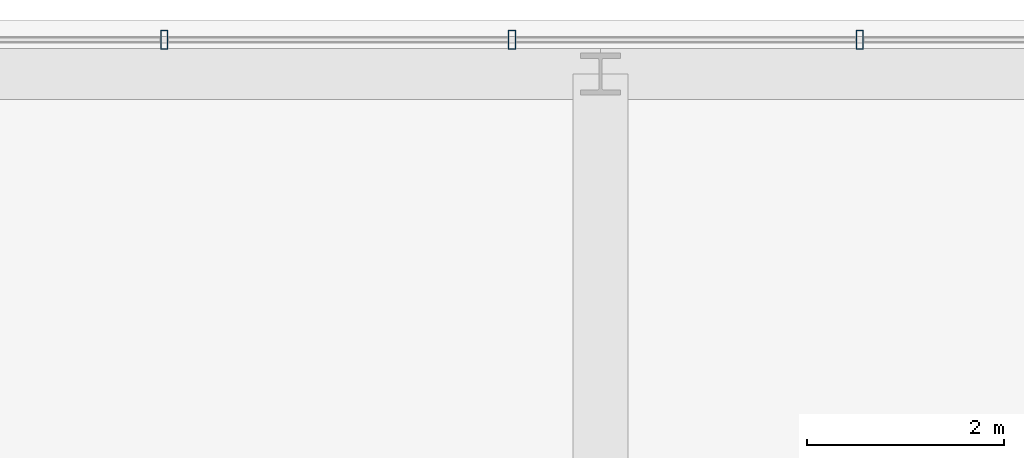
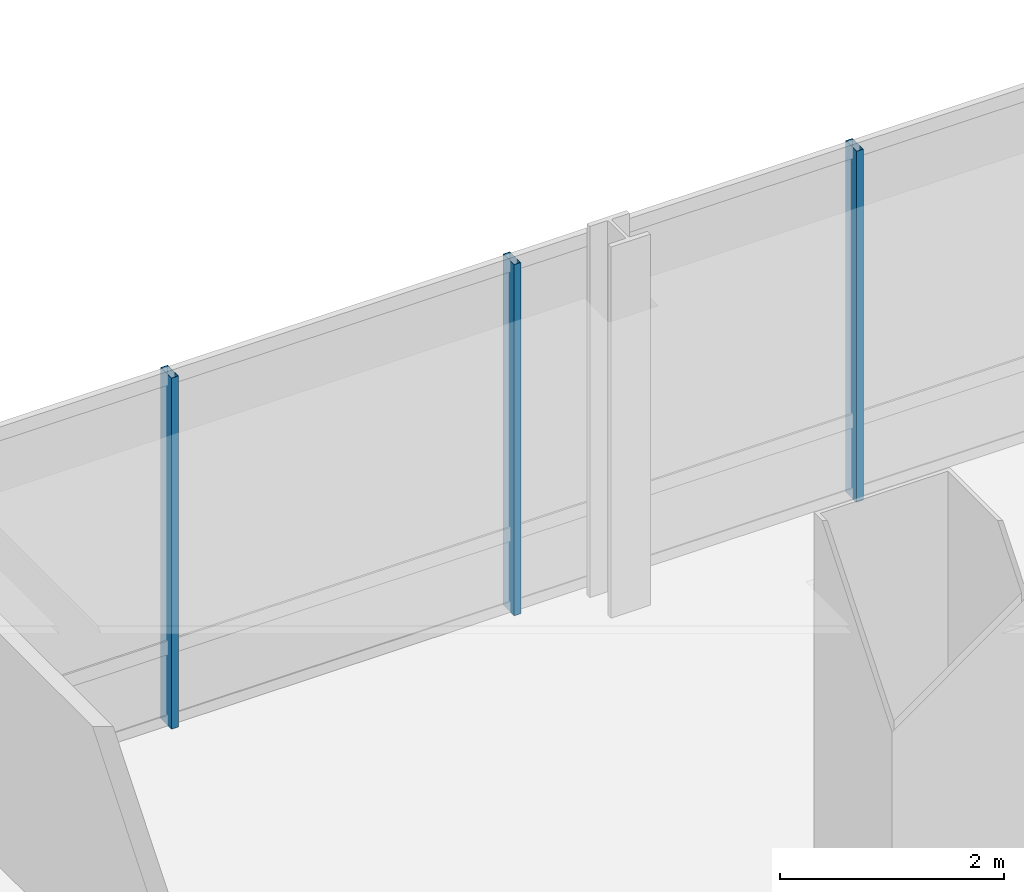
# One storey, part 25 of 38: 3 members, 1 element without a shape of its own.
"""IFC4 building model written with IfcOpenShell, lengths in metres."""

import ifcopenshell
import ifcopenshell.guid

model = None  # the IFC model being written
_history = None  # IfcOwnerHistory: only IFC2X3 demands one
_inside = {}  # id of a spatial element -> (the spatial element, [elements in it])
_under = {}  # id of a project, library or spatial element -> (it, [spatial elements below it])
_declared = {}  # id of a project -> (the project, [libraries it declares])
_typed = {}  # id of a type object -> (the type object, [elements of that type])
_made_of = {}  # id of a material, layer set ... -> (it, [elements and type objects made of it])


def new_model(schema):
    """Start an empty IFC model of exactly this schema.

    Asked for "IFC4X3", IfcOpenShell would pick the latest addendum, in which some entities
    have other attributes; the version numbers below select the first issue.
    IFC2X3 requires an IfcOwnerHistory on every rooted entity: one is made here for all.
    """
    global model, _history
    if schema == "IFC4X3":
        model = ifcopenshell.file(schema_version=(4, 3, 0, 0))
    else:
        model = ifcopenshell.file(schema=schema)
    _inside.clear()
    _under.clear()
    _declared.clear()
    _typed.clear()
    _made_of.clear()
    _history = None
    if model.schema == "IFC2X3":
        org = make("IfcOrganization", Name="unknown")
        user = make(
            "IfcPersonAndOrganization",
            ThePerson=make("IfcPerson", FamilyName="unknown"),
            TheOrganization=org,
        )
        app = make(
            "IfcApplication",
            ApplicationDeveloper=org,
            Version="unknown",
            ApplicationFullName="unknown",
            ApplicationIdentifier="unknown",
        )
        _history = make(
            "IfcOwnerHistory",
            OwningUser=user,
            OwningApplication=app,
            ChangeAction="ADDED",
            CreationDate=0,
        )
    return model


def make(cls, **values):
    """One entity of the class cls with the attributes given. An attribute that is None is left unset."""
    return model.create_entity(
        cls, **{name: value for name, value in values.items() if value is not None}
    )


def rooted(cls, **values):
    """An entity with a GlobalId (a new one), such as an element, a storey or a relation."""
    return make(cls, GlobalId=ifcopenshell.guid.new(), OwnerHistory=_history, **values)


def si_unit(unit_type, name, prefix=None):
    """IfcSIUnit, for example si_unit("LENGTHUNIT", "METRE", prefix="MILLI")."""
    return make("IfcSIUnit", UnitType=unit_type, Prefix=prefix, Name=name)


def assignment(units):
    """IfcUnitAssignment: the units of a project."""
    return None if units is None else make("IfcUnitAssignment", Units=units)


def point(xyz):
    """IfcCartesianPoint."""
    return None if xyz is None else make("IfcCartesianPoint", Coordinates=xyz)


def direction(xyz):
    """IfcDirection."""
    return None if xyz is None else make("IfcDirection", DirectionRatios=xyz)


def frame(location, z_axis=None, x_axis=None):
    """IfcAxis2Placement3D, a coordinate frame: its origin and axes. An axis left out is left unset."""
    return make(
        "IfcAxis2Placement3D",
        Location=point(location),
        Axis=direction(z_axis),
        RefDirection=direction(x_axis),
    )


def frame_2d(location, x_axis=None):
    """IfcAxis2Placement2D, a coordinate frame in the plane: its origin and x axis."""
    return make(
        "IfcAxis2Placement2D", Location=point(location), RefDirection=direction(x_axis)
    )


def origin():
    """The frame at (0, 0, 0) with its axes left unset."""
    return frame((0.0, 0.0, 0.0))


def origin_2d():
    """The frame at (0, 0) in the plane with its x axis left unset."""
    return frame_2d((0.0, 0.0))


def place(relative_to, where):
    """IfcLocalPlacement: puts the frame where relative to a parent placement (None: the world)."""
    return make(
        "IfcLocalPlacement", PlacementRelTo=relative_to, RelativePlacement=where
    )


def context(
    kind, dimensions, precision=None, world=None, true_north=None, identifier=None
):
    """IfcGeometricRepresentationContext, for example the 3D "Model" context."""
    return make(
        "IfcGeometricRepresentationContext",
        ContextIdentifier=identifier,
        ContextType=kind,
        CoordinateSpaceDimension=dimensions,
        Precision=precision,
        WorldCoordinateSystem=world,
        TrueNorth=true_north,
    )


def subcontext(parent, identifier, kind, view, scale=None):
    """IfcGeometricRepresentationSubContext, for example "Body" below "Model"."""
    return make(
        "IfcGeometricRepresentationSubContext",
        ContextIdentifier=identifier,
        ContextType=kind,
        ParentContext=parent,
        TargetScale=scale,
        TargetView=view,
    )


def project(units=None, contexts=None):
    """IfcProject with its units and contexts."""
    return rooted(
        "IfcProject",
        Name="project",
        RepresentationContexts=contexts,
        UnitsInContext=assignment(units),
    )


def spatial(cls, under=None, at=None, **own):
    """A site, building, storey or space (cls), placed at a placement, below another one or the project."""
    s = rooted(cls, ObjectPlacement=at, **own)
    if under is not None:
        _under.setdefault(under.id(), (under, []))[1].append(s)
    return s


def profile(cls, at=None, kind="AREA", **sizes):
    """A parametric profile (cls). Its sizes go by their IFC names, for example OverallWidth=200.0."""
    return make(cls, ProfileType=kind, Position=at, **sizes)


def hollow_rectangle(**sizes):
    """IfcRectangleHollowProfileDef."""
    return profile("IfcRectangleHollowProfileDef", **sizes)


def extrude(swept, where, along, depth):
    """IfcExtrudedAreaSolid: the profile swept, set in the frame where, extruded along a direction by depth."""
    return make(
        "IfcExtrudedAreaSolid",
        SweptArea=swept,
        Position=where,
        ExtrudedDirection=direction(along),
        Depth=depth,
    )


def shape(context_of_items, identifier, shape_type, items):
    """IfcShapeRepresentation: the items that make up one representation, for example the "Body"."""
    return make(
        "IfcShapeRepresentation",
        ContextOfItems=context_of_items,
        RepresentationIdentifier=identifier,
        RepresentationType=shape_type,
        Items=items,
    )


def material(Name=None, Category=None):
    """IfcMaterial."""
    return make("IfcMaterial", Name=Name, Category=Category)


def material_profile(
    of_material, cross_section, Name=None, Category=None, Priority=None
):
    """IfcMaterialProfile: a cross section and its material."""
    return make(
        "IfcMaterialProfile",
        Name=Name,
        Material=of_material,
        Profile=cross_section,
        Priority=Priority,
        Category=Category,
    )


def profile_set(profiles, Name=None, composite=None):
    """IfcMaterialProfileSet."""
    return make(
        "IfcMaterialProfileSet",
        Name=Name,
        MaterialProfiles=profiles,
        CompositeProfile=composite,
    )


def made_of(thing, what):
    """Note that an element or type object is made of a material, layer set ...; save() writes the relation."""
    if what is not None:
        _made_of.setdefault(what.id(), (what, []))[1].append(thing)
    return thing


def type_object(cls, material=None, **own):
    """A type object (cls), such as IfcWallType, which elements share."""
    return made_of(rooted(cls, **own), material)


def element(
    cls,
    number,
    at=None,
    inside=None,
    cuts=None,
    type_object=None,
    material=None,
    context=None,
    identifier="Body",
    shape_type=None,
    held_by="IfcProductDefinitionShape",
    body=None,
    shapes=None,
    **own,
):
    """One element of the class cls, such as IfcWall. Its Tag is "e" and its number.

    at: its placement. inside: the storey or other place that contains it. cuts: it is an
    opening in that element (IfcRelVoidsElement). A single representation is given by context,
    identifier, shape_type and body (its items); several are given by shapes. held_by: the class
    of the entity that holds the representations. save() writes the other relations.
    """
    e = rooted(cls, Tag="e%d" % number, ObjectPlacement=at, **own)
    if body is not None:
        shapes = [shape(context, identifier, shape_type, body)]
    if shapes is not None:
        e.Representation = make(held_by, Representations=shapes)
    if inside is not None:
        _inside.setdefault(inside.id(), (inside, []))[1].append(e)
    if cuts is not None:
        rooted(
            "IfcRelVoidsElement", RelatingBuildingElement=cuts, RelatedOpeningElement=e
        )
    if type_object is not None:
        _typed.setdefault(type_object.id(), (type_object, []))[1].append(e)
    return made_of(e, material)


def aggregate(whole, parts):
    """IfcRelAggregates: a whole, such as a stair, and the parts it consists of."""
    return rooted("IfcRelAggregates", RelatingObject=whole, RelatedObjects=parts)


def save(model, path):
    """Write the relations noted so far, then the file.

    IfcRelAggregates (storeys below a building ...), IfcRelContainedInSpatialStructure (elements
    in a storey), IfcRelDefinesByType, IfcRelAssociatesMaterial and IfcRelDeclares: one each for
    every whole, place, type object, material and project.
    """
    for whole, parts in _under.values():
        aggregate(whole, parts)
    for where, things in _inside.values():
        rooted(
            "IfcRelContainedInSpatialStructure",
            RelatedElements=things,
            RelatingStructure=where,
        )
    for kind, things in _typed.values():
        rooted("IfcRelDefinesByType", RelatedObjects=things, RelatingType=kind)
    for what, things in _made_of.values():
        rooted("IfcRelAssociatesMaterial", RelatedObjects=things, RelatingMaterial=what)
    for by, libraries in _declared.values():
        rooted("IfcRelDeclares", RelatingContext=by, RelatedDefinitions=libraries)
    model.write(path)


model = new_model("IFC4")

# Units and contexts
model_context = context("Model", 3, precision=1e-05, world=origin(), true_north=direction((0.0, 1.0)))
body_context = subcontext(model_context, "Body", "Model", "MODEL_VIEW")
ifc_project = project(units=[si_unit("LENGTHUNIT", "METRE"), si_unit("AREAUNIT", "SQUARE_METRE"), si_unit("VOLUMEUNIT", "CUBIC_METRE"), si_unit("PLANEANGLEUNIT", "RADIAN"), si_unit("MASSUNIT", "GRAM", prefix="KILO")], contexts=[model_context])

# Site, building, storey
site_placement = place(None, origin())
site = spatial("IfcSite", under=ifc_project, at=site_placement, CompositionType="ELEMENT")
building_placement = place(site_placement, origin())
building = spatial("IfcBuilding", under=site, at=building_placement, Name="Punatoya Terracotta Tower", CompositionType="ELEMENT")
storey_placement = place(building_placement, frame((0.0, 0.0, 147.89990234375)))
storey = spatial("IfcBuildingStorey", under=building, at=storey_placement, Name="L34", CompositionType="ELEMENT", Elevation=147.89990234375)

# Curtain wall, members
ifc_material_1 = material(Name="Aluminium 6063-T6 + Double Low-E Glass", Category="aluminium")
curtain_wall_type = type_object("IfcCurtainWallType", Name="CW-M2", PredefinedType="NOTDEFINED", material=ifc_material_1)
curtain_wall_placement = place(storey_placement, origin())
curtain_wall = element("IfcCurtainWall", 1, at=curtain_wall_placement, inside=storey, type_object=curtain_wall_type, Name="L34 Curtain Wall CW-L34-N09-1", PredefinedType="NOTDEFINED")
ifc_material_2 = material(Name="Aluminium 6063-T6", Category="aluminium")
ifc_material_profile = material_profile(ifc_material_2, hollow_rectangle(XDim=0.072021484375, YDim=0.195068359375, WallThickness=0.00439453125, at=origin_2d()))
ifc_profile_set = profile_set([ifc_material_profile], Name="Aluminium 6063-T6")
member_type = type_object("IfcMemberType", Name="CW-MUL-M2", PredefinedType="MULLION", material=ifc_profile_set)
member_1_placement = place(storey_placement, frame((6.43505859375, 23.25, 0.0), z_axis=(0.0, 0.0, 1.0), x_axis=(1.0, 0.0, 0.0)))
member_1 = element("IfcMember", 2, at=member_1_placement, type_object=member_type, Name="CW-L34-N09-1 Mullion 03", PredefinedType="MULLION", context=body_context, shape_type="SweptSolid", body=[
    extrude(hollow_rectangle(XDim=0.072021484375, YDim=0.195068359375, WallThickness=0.00439453125, at=origin_2d()), origin(), (0.0, 0.0, 1.0), 3.830078125),
])
member_2_placement = place(storey_placement, frame((2.90087890625, 23.25, 0.0), z_axis=(0.0, 0.0, 1.0), x_axis=(1.0, 0.0, 0.0)))
member_2 = element("IfcMember", 3, at=member_2_placement, type_object=member_type, Name="CW-L34-N09-1 Mullion 04", PredefinedType="MULLION", context=body_context, shape_type="SweptSolid", body=[
    extrude(hollow_rectangle(XDim=0.072021484375, YDim=0.195068359375, WallThickness=0.00439453125, at=origin_2d()), origin(), (0.0, 0.0, 1.0), 3.830078125),
])
member_3_placement = place(storey_placement, frame((-0.633056640625, 23.25, 0.0), z_axis=(0.0, 0.0, 1.0), x_axis=(1.0, 0.0, 0.0)))
member_3 = element("IfcMember", 4, at=member_3_placement, type_object=member_type, Name="CW-L34-N09-1 Mullion 05", PredefinedType="MULLION", context=body_context, shape_type="SweptSolid", body=[
    extrude(hollow_rectangle(XDim=0.072021484375, YDim=0.195068359375, WallThickness=0.00439453125, at=origin_2d()), origin(), (0.0, 0.0, 1.0), 3.830078125),
])
aggregate(curtain_wall, [member_1, member_2, member_3])

save(model, "model.ifc")
